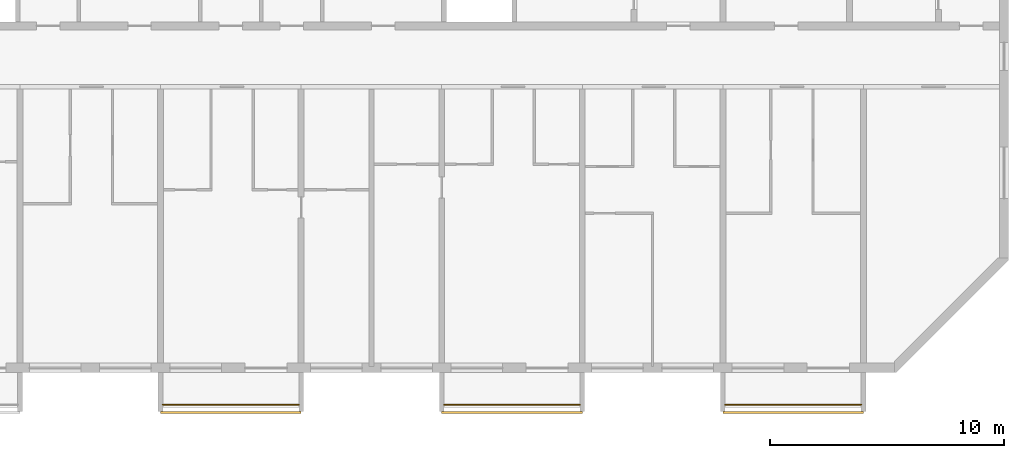
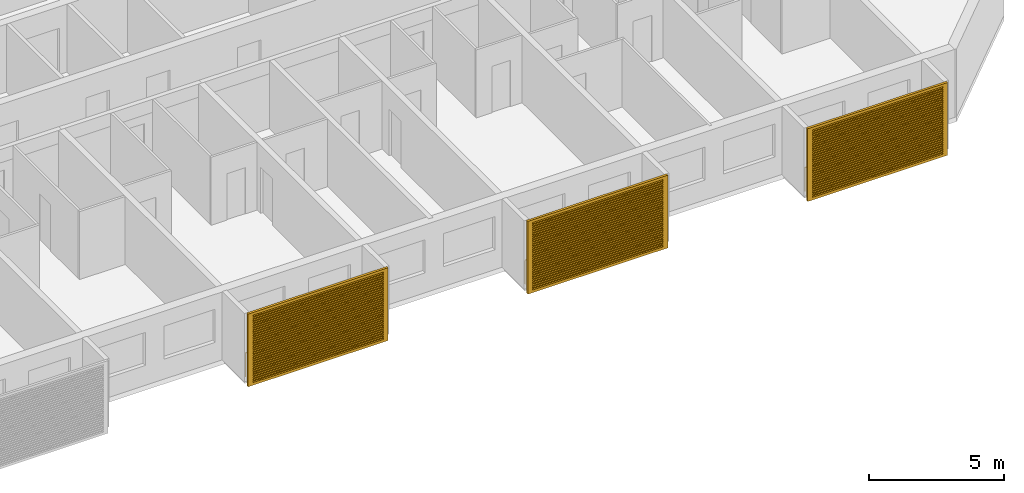
# One storey, part 14 of 27: 3 railings, 3 shading devices.
"""IFC4 building model written with IfcOpenShell, lengths in metres."""

from ifc_helpers import new_model, si_unit, direction, frame, origin, origin_2d, place, context, subcontext, project, spatial, polyline, circle, outline, extrude, source, transform, mapped, material, material_profile, profile_set, type_object, element, save


model = new_model("IFC4")

# Units and contexts
model_context = context("Model", 3, precision=1e-05, world=origin(), true_north=direction((0.0, 1.0)))
body_context = subcontext(model_context, "Body", "Model", "MODEL_VIEW")
ifc_project = project(units=[si_unit("LENGTHUNIT", "METRE"), si_unit("AREAUNIT", "SQUARE_METRE"), si_unit("VOLUMEUNIT", "CUBIC_METRE"), si_unit("PLANEANGLEUNIT", "RADIAN"), si_unit("MASSUNIT", "GRAM", prefix="KILO")], contexts=[model_context])

# Site, building, storey
site_placement = place(None, origin())
site = spatial("IfcSite", under=ifc_project, at=site_placement, CompositionType="ELEMENT")
building_placement = place(site_placement, origin())
building = spatial("IfcBuilding", under=site, at=building_placement, Name="Poui Terraces", CompositionType="ELEMENT")
storey_placement = place(building_placement, frame((0.0, 0.0, 251.10009765625)))
storey = spatial("IfcBuildingStorey", under=building, at=storey_placement, Name="L70", CompositionType="ELEMENT", Elevation=251.10009765625)

# Railings
ifc_material_1 = material(Name="Painted steel fretwork", Category="steel")
railing_type = type_object("IfcRailingType", Name="BALCONY GUARD 1100", PredefinedType="GUARDRAIL", material=ifc_material_1)
for number, where, name in (
    (1, (48.10009765625, -1.570068359375, 0.0), "BALCONY GUARD"),
    (2, (60.10009765625, -1.570068359375, 0.0), "BALCONY GUARD"),
    (3, (72.10009765625, -1.570068359375, 0.0), "BALCONY GUARD"),
):
    element("IfcRailing", number, at=place(storey_placement, frame(where)), inside=storey, type_object=railing_type, Name=name, PredefinedType="GUARDRAIL", context=body_context, shape_type="SweptSolid", body=[
        extrude(circle(Radius=0.02392578125, at=origin_2d()), frame((0.0, 0.0, 1.076171875), z_axis=(1.0, 0.0, 0.0), x_axis=(0.0, 1.0, 0.0)), (0.0, 0.0, 1.0), 5.7998046875),
        extrude(circle(Radius=0.02099609375, at=origin_2d()), origin(), (0.0, 0.0, 1.0), 1.052001953125),
        extrude(circle(Radius=0.02099609375, at=origin_2d()), frame((0.966552734375, 0.0, 0.0)), (0.0, 0.0, 1.0), 1.052001953125),
        extrude(circle(Radius=0.02099609375, at=origin_2d()), frame((1.933349609375, 0.0, 0.0)), (0.0, 0.0, 1.0), 1.052001953125),
        extrude(circle(Radius=0.02099609375, at=origin_2d()), frame((2.89990234375, 0.0, 0.0)), (0.0, 0.0, 1.0), 1.052001953125),
        extrude(circle(Radius=0.02099609375, at=origin_2d()), frame((3.866455078125, 0.0, 0.0)), (0.0, 0.0, 1.0), 1.052001953125),
        extrude(circle(Radius=0.02099609375, at=origin_2d()), frame((4.833251953125, 0.0, 0.0)), (0.0, 0.0, 1.0), 1.052001953125),
        extrude(circle(Radius=0.02099609375, at=origin_2d()), frame((5.7998046875, 0.0, 0.0)), (0.0, 0.0, 1.0), 1.052001953125),
    ])

# Shading devices
ifc_material_2 = material(Name="Aluminium louvre", Category="aluminium")
ifc_material_profile = material_profile(ifc_material_2, outline(polyline([(-3.0, -1.64990234375), (3.0, -1.64990234375), (3.0, 1.64990234375), (-3.0, 1.64990234375), (-3.0, -1.64990234375)]), holes=[polyline([(-2.800048828125, -1.530029296875), (2.800048828125, -1.530029296875), (2.800048828125, -1.469970703125), (-2.800048828125, -1.469970703125), (-2.800048828125, -1.530029296875)]), polyline([(-2.800048828125, -1.429931640625), (2.800048828125, -1.429931640625), (2.800048828125, -1.3701171875), (-2.800048828125, -1.3701171875), (-2.800048828125, -1.429931640625)]), polyline([(-2.800048828125, -1.330078125), (2.800048828125, -1.330078125), (2.800048828125, -1.27001953125), (-2.800048828125, -1.27001953125), (-2.800048828125, -1.330078125)]), polyline([(-2.800048828125, -1.22998046875), (2.800048828125, -1.22998046875), (2.800048828125, -1.169921875), (-2.800048828125, -1.169921875), (-2.800048828125, -1.22998046875)]), polyline([(-2.800048828125, -1.1298828125), (2.800048828125, -1.1298828125), (2.800048828125, -1.070068359375), (-2.800048828125, -1.070068359375), (-2.800048828125, -1.1298828125)]), polyline([(-2.800048828125, -1.030029296875), (2.800048828125, -1.030029296875), (2.800048828125, -0.969970703125), (-2.800048828125, -0.969970703125), (-2.800048828125, -1.030029296875)]), polyline([(-2.800048828125, -0.929931640625), (2.800048828125, -0.929931640625), (2.800048828125, -0.8701171875), (-2.800048828125, -0.8701171875), (-2.800048828125, -0.929931640625)]), polyline([(-2.800048828125, -0.830078125), (2.800048828125, -0.830078125), (2.800048828125, -0.77001953125), (-2.800048828125, -0.77001953125), (-2.800048828125, -0.830078125)]), polyline([(-2.800048828125, -0.72998046875), (2.800048828125, -0.72998046875), (2.800048828125, -0.669921875), (-2.800048828125, -0.669921875), (-2.800048828125, -0.72998046875)]), polyline([(-2.800048828125, -0.6298828125), (2.800048828125, -0.6298828125), (2.800048828125, -0.570068359375), (-2.800048828125, -0.570068359375), (-2.800048828125, -0.6298828125)]), polyline([(-2.800048828125, -0.530029296875), (2.800048828125, -0.530029296875), (2.800048828125, -0.469970703125), (-2.800048828125, -0.469970703125), (-2.800048828125, -0.530029296875)]), polyline([(-2.800048828125, -0.429931640625), (2.800048828125, -0.429931640625), (2.800048828125, -0.3701171875), (-2.800048828125, -0.3701171875), (-2.800048828125, -0.429931640625)]), polyline([(-2.800048828125, -0.330078125), (2.800048828125, -0.330078125), (2.800048828125, -0.27001953125), (-2.800048828125, -0.27001953125), (-2.800048828125, -0.330078125)]), polyline([(-2.800048828125, -0.22998046875), (2.800048828125, -0.22998046875), (2.800048828125, -0.169921875), (-2.800048828125, -0.169921875), (-2.800048828125, -0.22998046875)]), polyline([(-2.800048828125, -0.1298828125), (2.800048828125, -0.1298828125), (2.800048828125, -0.070068359375), (-2.800048828125, -0.070068359375), (-2.800048828125, -0.1298828125)]), polyline([(-2.800048828125, -0.030029296875), (2.800048828125, -0.030029296875), (2.800048828125, 0.030029296875), (-2.800048828125, 0.030029296875), (-2.800048828125, -0.030029296875)]), polyline([(-2.800048828125, 0.070068359375), (2.800048828125, 0.070068359375), (2.800048828125, 0.1298828125), (-2.800048828125, 0.1298828125), (-2.800048828125, 0.070068359375)]), polyline([(-2.800048828125, 0.169921875), (2.800048828125, 0.169921875), (2.800048828125, 0.22998046875), (-2.800048828125, 0.22998046875), (-2.800048828125, 0.169921875)]), polyline([(-2.800048828125, 0.27001953125), (2.800048828125, 0.27001953125), (2.800048828125, 0.330078125), (-2.800048828125, 0.330078125), (-2.800048828125, 0.27001953125)]), polyline([(-2.800048828125, 0.3701171875), (2.800048828125, 0.3701171875), (2.800048828125, 0.429931640625), (-2.800048828125, 0.429931640625), (-2.800048828125, 0.3701171875)]), polyline([(-2.800048828125, 0.469970703125), (2.800048828125, 0.469970703125), (2.800048828125, 0.530029296875), (-2.800048828125, 0.530029296875), (-2.800048828125, 0.469970703125)]), polyline([(-2.800048828125, 0.570068359375), (2.800048828125, 0.570068359375), (2.800048828125, 0.6298828125), (-2.800048828125, 0.6298828125), (-2.800048828125, 0.570068359375)]), polyline([(-2.800048828125, 0.669921875), (2.800048828125, 0.669921875), (2.800048828125, 0.72998046875), (-2.800048828125, 0.72998046875), (-2.800048828125, 0.669921875)]), polyline([(-2.800048828125, 0.77001953125), (2.800048828125, 0.77001953125), (2.800048828125, 0.830078125), (-2.800048828125, 0.830078125), (-2.800048828125, 0.77001953125)]), polyline([(-2.800048828125, 0.8701171875), (2.800048828125, 0.8701171875), (2.800048828125, 0.929931640625), (-2.800048828125, 0.929931640625), (-2.800048828125, 0.8701171875)]), polyline([(-2.800048828125, 0.969970703125), (2.800048828125, 0.969970703125), (2.800048828125, 1.030029296875), (-2.800048828125, 1.030029296875), (-2.800048828125, 0.969970703125)]), polyline([(-2.800048828125, 1.070068359375), (2.800048828125, 1.070068359375), (2.800048828125, 1.1298828125), (-2.800048828125, 1.1298828125), (-2.800048828125, 1.070068359375)]), polyline([(-2.800048828125, 1.169921875), (2.800048828125, 1.169921875), (2.800048828125, 1.22998046875), (-2.800048828125, 1.22998046875), (-2.800048828125, 1.169921875)]), polyline([(-2.800048828125, 1.27001953125), (2.800048828125, 1.27001953125), (2.800048828125, 1.330078125), (-2.800048828125, 1.330078125), (-2.800048828125, 1.27001953125)]), polyline([(-2.800048828125, 1.3701171875), (2.800048828125, 1.3701171875), (2.800048828125, 1.429931640625), (-2.800048828125, 1.429931640625), (-2.800048828125, 1.3701171875)]), polyline([(-2.800048828125, 1.469970703125), (2.800048828125, 1.469970703125), (2.800048828125, 1.530029296875), (-2.800048828125, 1.530029296875), (-2.800048828125, 1.469970703125)])]), Name="JALOUSIE LOUVRE SHUTTER 6000X3300")
ifc_profile_set = profile_set([ifc_material_profile], Name="Aluminium louvre")
shading_device_type = type_object("IfcShadingDeviceType", Name="JALOUSIE LOUVRE SHUTTER 6000X3300", PredefinedType="JALOUSIE", material=ifc_profile_set)
shared_shape = source(origin(), body_context, "Body", "SweptSolid", [
    extrude(outline(polyline([(-3.0, -1.64990234375), (3.0, -1.64990234375), (3.0, 1.64990234375), (-3.0, 1.64990234375), (-3.0, -1.64990234375)]), holes=[polyline([(-2.800048828125, -1.530029296875), (2.800048828125, -1.530029296875), (2.800048828125, -1.469970703125), (-2.800048828125, -1.469970703125), (-2.800048828125, -1.530029296875)]), polyline([(-2.800048828125, -1.429931640625), (2.800048828125, -1.429931640625), (2.800048828125, -1.3701171875), (-2.800048828125, -1.3701171875), (-2.800048828125, -1.429931640625)]), polyline([(-2.800048828125, -1.330078125), (2.800048828125, -1.330078125), (2.800048828125, -1.27001953125), (-2.800048828125, -1.27001953125), (-2.800048828125, -1.330078125)]), polyline([(-2.800048828125, -1.22998046875), (2.800048828125, -1.22998046875), (2.800048828125, -1.169921875), (-2.800048828125, -1.169921875), (-2.800048828125, -1.22998046875)]), polyline([(-2.800048828125, -1.1298828125), (2.800048828125, -1.1298828125), (2.800048828125, -1.070068359375), (-2.800048828125, -1.070068359375), (-2.800048828125, -1.1298828125)]), polyline([(-2.800048828125, -1.030029296875), (2.800048828125, -1.030029296875), (2.800048828125, -0.969970703125), (-2.800048828125, -0.969970703125), (-2.800048828125, -1.030029296875)]), polyline([(-2.800048828125, -0.929931640625), (2.800048828125, -0.929931640625), (2.800048828125, -0.8701171875), (-2.800048828125, -0.8701171875), (-2.800048828125, -0.929931640625)]), polyline([(-2.800048828125, -0.830078125), (2.800048828125, -0.830078125), (2.800048828125, -0.77001953125), (-2.800048828125, -0.77001953125), (-2.800048828125, -0.830078125)]), polyline([(-2.800048828125, -0.72998046875), (2.800048828125, -0.72998046875), (2.800048828125, -0.669921875), (-2.800048828125, -0.669921875), (-2.800048828125, -0.72998046875)]), polyline([(-2.800048828125, -0.6298828125), (2.800048828125, -0.6298828125), (2.800048828125, -0.570068359375), (-2.800048828125, -0.570068359375), (-2.800048828125, -0.6298828125)]), polyline([(-2.800048828125, -0.530029296875), (2.800048828125, -0.530029296875), (2.800048828125, -0.469970703125), (-2.800048828125, -0.469970703125), (-2.800048828125, -0.530029296875)]), polyline([(-2.800048828125, -0.429931640625), (2.800048828125, -0.429931640625), (2.800048828125, -0.3701171875), (-2.800048828125, -0.3701171875), (-2.800048828125, -0.429931640625)]), polyline([(-2.800048828125, -0.330078125), (2.800048828125, -0.330078125), (2.800048828125, -0.27001953125), (-2.800048828125, -0.27001953125), (-2.800048828125, -0.330078125)]), polyline([(-2.800048828125, -0.22998046875), (2.800048828125, -0.22998046875), (2.800048828125, -0.169921875), (-2.800048828125, -0.169921875), (-2.800048828125, -0.22998046875)]), polyline([(-2.800048828125, -0.1298828125), (2.800048828125, -0.1298828125), (2.800048828125, -0.070068359375), (-2.800048828125, -0.070068359375), (-2.800048828125, -0.1298828125)]), polyline([(-2.800048828125, -0.030029296875), (2.800048828125, -0.030029296875), (2.800048828125, 0.030029296875), (-2.800048828125, 0.030029296875), (-2.800048828125, -0.030029296875)]), polyline([(-2.800048828125, 0.070068359375), (2.800048828125, 0.070068359375), (2.800048828125, 0.1298828125), (-2.800048828125, 0.1298828125), (-2.800048828125, 0.070068359375)]), polyline([(-2.800048828125, 0.169921875), (2.800048828125, 0.169921875), (2.800048828125, 0.22998046875), (-2.800048828125, 0.22998046875), (-2.800048828125, 0.169921875)]), polyline([(-2.800048828125, 0.27001953125), (2.800048828125, 0.27001953125), (2.800048828125, 0.330078125), (-2.800048828125, 0.330078125), (-2.800048828125, 0.27001953125)]), polyline([(-2.800048828125, 0.3701171875), (2.800048828125, 0.3701171875), (2.800048828125, 0.429931640625), (-2.800048828125, 0.429931640625), (-2.800048828125, 0.3701171875)]), polyline([(-2.800048828125, 0.469970703125), (2.800048828125, 0.469970703125), (2.800048828125, 0.530029296875), (-2.800048828125, 0.530029296875), (-2.800048828125, 0.469970703125)]), polyline([(-2.800048828125, 0.570068359375), (2.800048828125, 0.570068359375), (2.800048828125, 0.6298828125), (-2.800048828125, 0.6298828125), (-2.800048828125, 0.570068359375)]), polyline([(-2.800048828125, 0.669921875), (2.800048828125, 0.669921875), (2.800048828125, 0.72998046875), (-2.800048828125, 0.72998046875), (-2.800048828125, 0.669921875)]), polyline([(-2.800048828125, 0.77001953125), (2.800048828125, 0.77001953125), (2.800048828125, 0.830078125), (-2.800048828125, 0.830078125), (-2.800048828125, 0.77001953125)]), polyline([(-2.800048828125, 0.8701171875), (2.800048828125, 0.8701171875), (2.800048828125, 0.929931640625), (-2.800048828125, 0.929931640625), (-2.800048828125, 0.8701171875)]), polyline([(-2.800048828125, 0.969970703125), (2.800048828125, 0.969970703125), (2.800048828125, 1.030029296875), (-2.800048828125, 1.030029296875), (-2.800048828125, 0.969970703125)]), polyline([(-2.800048828125, 1.070068359375), (2.800048828125, 1.070068359375), (2.800048828125, 1.1298828125), (-2.800048828125, 1.1298828125), (-2.800048828125, 1.070068359375)]), polyline([(-2.800048828125, 1.169921875), (2.800048828125, 1.169921875), (2.800048828125, 1.22998046875), (-2.800048828125, 1.22998046875), (-2.800048828125, 1.169921875)]), polyline([(-2.800048828125, 1.27001953125), (2.800048828125, 1.27001953125), (2.800048828125, 1.330078125), (-2.800048828125, 1.330078125), (-2.800048828125, 1.27001953125)]), polyline([(-2.800048828125, 1.3701171875), (2.800048828125, 1.3701171875), (2.800048828125, 1.429931640625), (-2.800048828125, 1.429931640625), (-2.800048828125, 1.3701171875)]), polyline([(-2.800048828125, 1.469970703125), (2.800048828125, 1.469970703125), (2.800048828125, 1.530029296875), (-2.800048828125, 1.530029296875), (-2.800048828125, 1.469970703125)])]), origin(), (0.0, 0.0, 1.0), 0.099853515625),
])
for number, where, z_axis, x_axis, name in (
    (4, (51.0, -1.85009765625, 1.449951171875), (0.0, -1.0, 0.0), (1.0, 0.0, 0.0), "JALOUSIE LOUVRE SHUTTER"),
    (5, (63.0, -1.85009765625, 1.449951171875), (0.0, -1.0, 0.0), (1.0, 0.0, 0.0), "JALOUSIE LOUVRE SHUTTER"),
    (6, (75.0, -1.85009765625, 1.449951171875), (0.0, -1.0, 0.0), (1.0, 0.0, 0.0), "JALOUSIE LOUVRE SHUTTER"),
):
    element("IfcShadingDevice", number, at=place(storey_placement, frame(where, z_axis=z_axis, x_axis=x_axis)), inside=storey, type_object=shading_device_type, Name=name, PredefinedType="JALOUSIE", context=body_context, shape_type="MappedRepresentation", body=[
        mapped(shared_shape, transform((0.0, 0.0, 0.0))),
    ])

save(model, "model.ifc")
